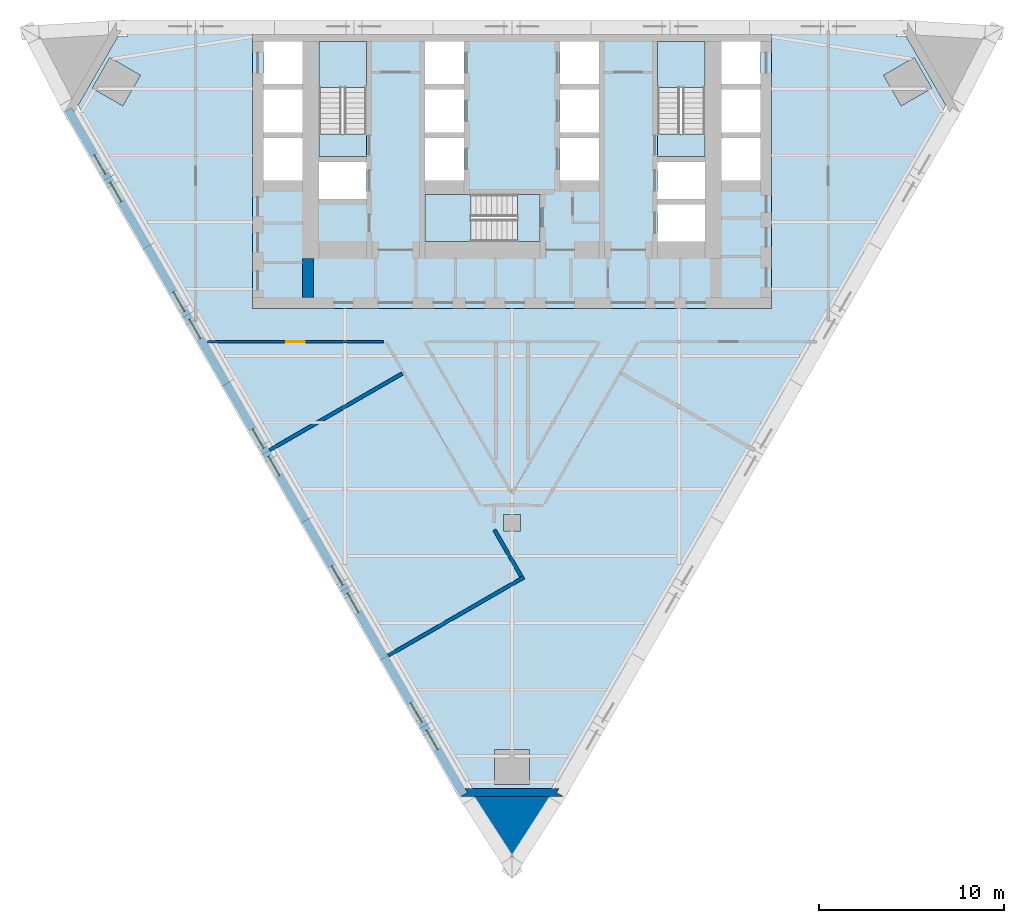
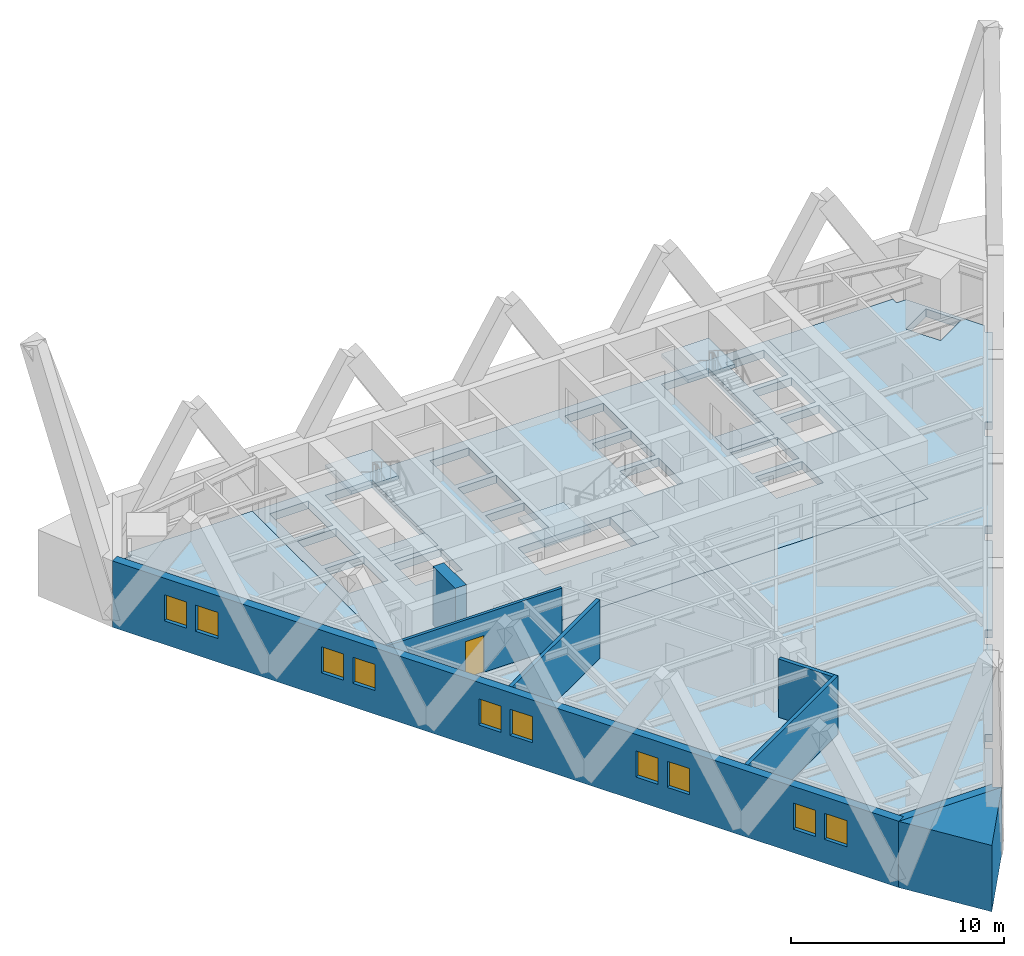
# One storey, part 2 of 7: 10 windows, 8 slabs, 8 walls, 1 door, 11 openings, 3 elements without a shape of their own.
"""IFC4 building model written with IfcOpenShell, lengths in metres."""

from ifc_helpers import new_model, si_unit, direction, frame, frame_2d, origin, place, context, subcontext, project, spatial, polyline, rectangle, outline, extrude, material, layer, layer_set, type_object, element, fill, aggregate, save


model = new_model("IFC4")

# Units and contexts
model_context = context("Model", 3, precision=1e-05, world=origin(), true_north=direction((0.0, 1.0)))
body_context = subcontext(model_context, "Body", "Model", "MODEL_VIEW")
ifc_project = project(units=[si_unit("LENGTHUNIT", "METRE"), si_unit("AREAUNIT", "SQUARE_METRE"), si_unit("VOLUMEUNIT", "CUBIC_METRE"), si_unit("PLANEANGLEUNIT", "RADIAN"), si_unit("MASSUNIT", "GRAM", prefix="KILO")], contexts=[model_context])

# Site, building, storey
site_placement = place(None, origin())
site = spatial("IfcSite", under=ifc_project, at=site_placement, CompositionType="ELEMENT")
building_placement = place(site_placement, origin())
building = spatial("IfcBuilding", under=site, at=building_placement, Name="Aloe Facet Convention Tower", CompositionType="ELEMENT")
storey_placement = place(building_placement, frame((0.0, 0.0, 81.800048828125)))
storey = spatial("IfcBuildingStorey", under=building, at=storey_placement, Name="L19", CompositionType="ELEMENT", Elevation=81.800048828125)

# Slabs
ifc_material_1 = material(Name="Concrete C70/85", Category="concrete")
ifc_layer_1 = layer(ifc_material_1, 0.449951171875)
ifc_layer_set_1 = layer_set([ifc_layer_1], Name="CR-S-FLOOR450-C7085")
slab_type_1 = type_object("IfcSlabType", Name="CR-S-FLOOR450-C7085", PredefinedType="FLOOR", material=ifc_layer_set_1)
slab_1_placement = place(storey_placement, frame((0.0, 0.0, -0.449951171875)))
element("IfcSlab", 1, at=slab_1_placement, inside=storey, type_object=slab_type_1, Name="Stair landing floor L19", PredefinedType="FLOOR", context=body_context, shape_type="SweptSolid", body=[
    extrude(outline(polyline([(72.14990234375, 127.75), (72.14990234375, 128.951171875), (69.60009765625, 128.951171875), (69.60009765625, 127.75), (72.14990234375, 127.75)])), origin(), (0.0, 0.0, 1.0), 0.449951171875),
])
slab_2_placement = place(storey_placement, frame((0.0, 0.0, -0.449951171875)))
element("IfcSlab", 2, at=slab_2_placement, inside=storey, type_object=slab_type_1, Name="Stair landing floor L19", PredefinedType="FLOOR", context=body_context, shape_type="SweptSolid", body=[
    extrude(outline(polyline([(90.39990234375, 127.75), (90.39990234375, 128.951171875), (87.85009765625, 128.951171875), (87.85009765625, 127.75), (90.39990234375, 127.75)])), origin(), (0.0, 0.0, 1.0), 0.449951171875),
])
slab_3_placement = place(storey_placement, frame((0.0, 0.0, -0.449951171875)))
element("IfcSlab", 3, at=slab_3_placement, inside=storey, type_object=slab_type_1, Name="Stair landing floor L19", PredefinedType="FLOOR", context=body_context, shape_type="SweptSolid", body=[
    extrude(outline(polyline([(81.5, 125.699951171875), (80.298828125, 125.699951171875), (80.298828125, 123.14990234375), (81.5, 123.14990234375), (81.5, 125.699951171875)])), origin(), (0.0, 0.0, 1.0), 0.449951171875),
])
slab_4_placement = place(storey_placement, frame((0.0, 0.0, -0.449951171875)))
element("IfcSlab", 4, at=slab_4_placement, inside=storey, type_object=slab_type_1, Name="Core floor L19", PredefinedType="FLOOR", context=body_context, shape_type="SweptSolid", body=[
    extrude(outline(polyline([(69.300048828125, 134.550048828125), (71.85009765625, 134.550048828125), (72.75, 134.550048828125), (74.699951171875, 134.550048828125), (75.60009765625, 134.550048828125), (77.10009765625, 134.550048828125), (78.0, 134.550048828125), (82.0, 134.550048828125), (82.89990234375, 134.550048828125), (84.39990234375, 134.550048828125), (85.300048828125, 134.550048828125), (87.25, 134.550048828125), (88.14990234375, 134.550048828125), (90.699951171875, 134.550048828125), (91.0, 134.550048828125), (94.0, 134.550048828125), (94.0, 131.949951171875), (94.0, 131.050048828125), (94.0, 129.35009765625), (94.0, 128.449951171875), (94.0, 126.449951171875), (94.0, 125.85009765625), (94.0, 124.949951171875), (94.0, 123.89990234375), (94.0, 122.871337890625), (94.0, 121.821533203125), (94.0, 119.550048828125), (91.300048828125, 119.550048828125), (90.699951171875, 119.550048828125), (89.60009765625, 119.550048828125), (88.550048828125, 119.550048828125), (87.89990234375, 119.550048828125), (86.85009765625, 119.550048828125), (85.699951171875, 119.550048828125), (84.64990234375, 119.550048828125), (83.699951171875, 119.550048828125), (82.64990234375, 119.550048828125), (81.75, 119.550048828125), (80.699951171875, 119.550048828125), (79.61669921875, 119.550048828125), (78.566650390625, 119.550048828125), (77.4833984375, 119.550048828125), (76.433349609375, 119.550048828125), (75.35009765625, 119.550048828125), (74.300048828125, 119.550048828125), (73.14990234375, 119.550048828125), (72.10009765625, 119.550048828125), (69.300048828125, 119.550048828125), (68.699951171875, 119.550048828125), (66.0, 119.550048828125), (66.0, 121.5), (66.0, 122.550048828125), (66.0, 123.639404296875), (66.0, 124.689453125), (66.0, 125.85009765625), (66.0, 126.449951171875), (66.0, 128.449951171875), (66.0, 129.35009765625), (66.0, 131.050048828125), (66.0, 131.949951171875), (66.0, 134.550048828125), (69.0, 134.550048828125), (69.300048828125, 134.550048828125)]), holes=[polyline([(75.300048828125, 123.14990234375), (80.298828125, 123.14990234375), (81.5, 123.14990234375), (81.5, 125.699951171875), (80.298828125, 125.699951171875), (75.300048828125, 125.699951171875), (75.300048828125, 123.14990234375)]), polyline([(69.60009765625, 125.449951171875), (72.14990234375, 125.449951171875), (72.14990234375, 127.449951171875), (69.60009765625, 127.449951171875), (69.60009765625, 125.449951171875)]), polyline([(66.60009765625, 126.449951171875), (68.699951171875, 126.449951171875), (68.699951171875, 128.75), (66.60009765625, 128.75), (66.60009765625, 126.449951171875)]), polyline([(75.300048828125, 126.449951171875), (77.39990234375, 126.449951171875), (77.39990234375, 128.75), (75.300048828125, 128.75), (75.300048828125, 126.449951171875)]), polyline([(66.60009765625, 129.050048828125), (68.699951171875, 129.050048828125), (68.699951171875, 131.35009765625), (66.60009765625, 131.35009765625), (66.60009765625, 129.050048828125)]), polyline([(75.300048828125, 129.050048828125), (77.39990234375, 129.050048828125), (77.39990234375, 131.35009765625), (75.300048828125, 131.35009765625), (75.300048828125, 129.050048828125)]), polyline([(69.60009765625, 133.949951171875), (69.60009765625, 128.951171875), (69.60009765625, 127.75), (72.14990234375, 127.75), (72.14990234375, 128.951171875), (72.14990234375, 133.949951171875), (69.60009765625, 133.949951171875)]), polyline([(66.60009765625, 133.949951171875), (66.60009765625, 131.64990234375), (68.699951171875, 131.64990234375), (68.699951171875, 133.949951171875), (66.60009765625, 133.949951171875)]), polyline([(75.300048828125, 133.949951171875), (75.300048828125, 131.64990234375), (77.39990234375, 131.64990234375), (77.39990234375, 133.949951171875), (75.300048828125, 133.949951171875)]), polyline([(87.85009765625, 123.14990234375), (90.39990234375, 123.14990234375), (90.39990234375, 125.14990234375), (87.85009765625, 125.14990234375), (87.85009765625, 123.14990234375)]), polyline([(87.85009765625, 125.449951171875), (90.39990234375, 125.449951171875), (90.39990234375, 127.449951171875), (87.85009765625, 127.449951171875), (87.85009765625, 125.449951171875)]), polyline([(82.60009765625, 126.449951171875), (84.699951171875, 126.449951171875), (84.699951171875, 128.75), (82.60009765625, 128.75), (82.60009765625, 126.449951171875)]), polyline([(91.300048828125, 126.449951171875), (93.39990234375, 126.449951171875), (93.39990234375, 128.75), (91.300048828125, 128.75), (91.300048828125, 126.449951171875)]), polyline([(82.60009765625, 129.050048828125), (84.699951171875, 129.050048828125), (84.699951171875, 131.35009765625), (82.60009765625, 131.35009765625), (82.60009765625, 129.050048828125)]), polyline([(91.300048828125, 129.050048828125), (93.39990234375, 129.050048828125), (93.39990234375, 131.35009765625), (91.300048828125, 131.35009765625), (91.300048828125, 129.050048828125)]), polyline([(87.85009765625, 133.949951171875), (87.85009765625, 128.951171875), (87.85009765625, 127.75), (90.39990234375, 127.75), (90.39990234375, 128.951171875), (90.39990234375, 133.949951171875), (87.85009765625, 133.949951171875)]), polyline([(82.60009765625, 133.949951171875), (82.60009765625, 131.64990234375), (84.699951171875, 131.64990234375), (84.699951171875, 133.949951171875), (82.60009765625, 133.949951171875)]), polyline([(91.300048828125, 133.949951171875), (91.300048828125, 131.64990234375), (93.39990234375, 131.64990234375), (93.39990234375, 133.949951171875), (91.300048828125, 133.949951171875)])]), origin(), (0.0, 0.0, 1.0), 0.449951171875),
])

# Stair, slab
ifc_material_2 = material(Name="Concrete C50/60", Category="concrete")
stair_type = type_object("IfcStairType", Name="CR-ST-20R", PredefinedType="HALF_TURN_STAIR", material=ifc_material_2)
stair_1_placement = place(storey_placement, origin())
stair_1 = element("IfcStair", 5, at=stair_1_placement, inside=storey, type_object=stair_type, Name="L19 Protected exit stair ST1", PredefinedType="HALF_TURN_STAIR")
ifc_material_3 = material(Name="Concrete C50/60", Category="concrete")
ifc_layer_2 = layer(ifc_material_3, 0.199951171875)
ifc_layer_set_2 = layer_set([ifc_layer_2], Name="CR-SL-LANDING")
slab_type_2 = type_object("IfcSlabType", Name="CR-SL-LANDING", PredefinedType="LANDING", material=ifc_layer_set_2)
slab_5_placement = place(storey_placement, frame((0.0, 0.0, 1.550048828125)))
slab_5 = element("IfcSlab", 6, at=slab_5_placement, type_object=slab_type_2, Name="ST1 landing 1", PredefinedType="LANDING", context=body_context, shape_type="SweptSolid", body=[
    extrude(outline(polyline([(72.14990234375, 131.469970703125), (72.14990234375, 133.949951171875), (69.60009765625, 133.949951171875), (69.60009765625, 131.469970703125), (72.14990234375, 131.469970703125)])), origin(), (0.0, 0.0, 1.0), 0.199951171875),
])
aggregate(stair_1, [slab_5])

stair_2_placement = place(storey_placement, origin())
stair_2 = element("IfcStair", 7, at=stair_2_placement, inside=storey, type_object=stair_type, Name="L19 Protected exit stair ST2", PredefinedType="HALF_TURN_STAIR")
slab_6_placement = place(storey_placement, frame((0.0, 0.0, 1.550048828125)))
slab_6 = element("IfcSlab", 8, at=slab_6_placement, type_object=slab_type_2, Name="ST2 landing 1", PredefinedType="LANDING", context=body_context, shape_type="SweptSolid", body=[
    extrude(outline(polyline([(90.39990234375, 131.469970703125), (90.39990234375, 133.949951171875), (87.85009765625, 133.949951171875), (87.85009765625, 131.469970703125), (90.39990234375, 131.469970703125)])), origin(), (0.0, 0.0, 1.0), 0.199951171875),
])
aggregate(stair_2, [slab_6])

stair_3_placement = place(storey_placement, origin())
stair_3 = element("IfcStair", 9, at=stair_3_placement, inside=storey, type_object=stair_type, Name="L19 Protected exit stair ST3", PredefinedType="HALF_TURN_STAIR")
slab_7_placement = place(storey_placement, frame((0.0, 0.0, 1.550048828125)))
slab_7 = element("IfcSlab", 10, at=slab_7_placement, type_object=slab_type_2, Name="ST3 landing 1", PredefinedType="LANDING", context=body_context, shape_type="SweptSolid", body=[
    extrude(outline(polyline([(77.780029296875, 125.699951171875), (75.300048828125, 125.699951171875), (75.300048828125, 123.14990234375), (77.780029296875, 123.14990234375), (77.780029296875, 125.699951171875)])), origin(), (0.0, 0.0, 1.0), 0.199951171875),
])
aggregate(stair_3, [slab_7])

# Slab
ifc_material_4 = material(Name="Concrete C35/45", Category="concrete")
ifc_layer_3 = layer(ifc_material_4, 0.449951171875)
ifc_layer_set_3 = layer_set([ifc_layer_3], Name="SF-FS-450")
slab_type_3 = type_object("IfcSlabType", Name="SF-FS-450", PredefinedType="FLOOR", material=ifc_layer_set_3)
slab_8_placement = place(storey_placement, frame((0.0, 0.0, -0.449951171875)))
element("IfcSlab", 11, at=slab_8_placement, inside=storey, type_object=slab_type_3, Name="Floor slab L19-1", PredefinedType="FLOOR", context=body_context, shape_type="SweptSolid", body=[
    extrude(outline(polyline([(103.39990234375, 130.500244140625), (103.135986328125, 130.043212890625), (103.439208984375, 129.8681640625), (99.76025390625, 123.496337890625), (99.45703125, 123.67138671875), (99.164306640625, 123.164306640625), (98.87158203125, 122.6572265625), (99.1748046875, 122.482177734375), (95.495849609375, 116.1103515625), (95.19287109375, 116.285400390625), (94.900146484375, 115.7783203125), (94.607421875, 115.271240234375), (94.910400390625, 115.09619140625), (91.231689453125, 108.724365234375), (90.928466796875, 108.8994140625), (90.6357421875, 108.392333984375), (90.343017578125, 107.88525390625), (90.646240234375, 107.710205078125), (86.96728515625, 101.33837890625), (86.664306640625, 101.51318359375), (86.37158203125, 101.00634765625), (86.078857421875, 100.499267578125), (86.3818359375, 100.32421875), (82.702880859375, 93.952392578125), (82.39990234375, 94.127197265625), (82.135986328125, 93.67041015625), (77.864013671875, 93.67041015625), (77.60009765625, 94.127197265625), (77.297119140625, 93.952392578125), (73.6181640625, 100.32421875), (73.921142578125, 100.499267578125), (73.62841796875, 101.00634765625), (73.335693359375, 101.51318359375), (73.03271484375, 101.33837890625), (69.353759765625, 107.710205078125), (69.656982421875, 107.88525390625), (69.3642578125, 108.392333984375), (69.071533203125, 108.8994140625), (68.768310546875, 108.724365234375), (65.089599609375, 115.09619140625), (65.392578125, 115.271240234375), (65.099853515625, 115.7783203125), (64.80712890625, 116.285400390625), (64.504150390625, 116.1103515625), (60.8251953125, 122.482177734375), (61.12841796875, 122.6572265625), (60.835693359375, 123.164306640625), (60.54296875, 123.67138671875), (60.23974609375, 123.496337890625), (56.560791015625, 129.8681640625), (56.864013671875, 130.043212890625), (56.60009765625, 130.500244140625), (58.736083984375, 134.199951171875), (59.263916015625, 134.199951171875), (59.263916015625, 134.550048828125), (66.0, 134.550048828125), (66.0, 131.949951171875), (66.0, 131.050048828125), (66.0, 129.35009765625), (66.0, 128.449951171875), (66.0, 126.449951171875), (66.0, 125.85009765625), (66.0, 124.689453125), (66.0, 123.639404296875), (66.0, 122.550048828125), (66.0, 121.5), (66.0, 119.550048828125), (68.699951171875, 119.550048828125), (69.300048828125, 119.550048828125), (72.10009765625, 119.550048828125), (73.14990234375, 119.550048828125), (74.300048828125, 119.550048828125), (75.35009765625, 119.550048828125), (76.433349609375, 119.550048828125), (77.4833984375, 119.550048828125), (78.566650390625, 119.550048828125), (79.61669921875, 119.550048828125), (80.699951171875, 119.550048828125), (81.75, 119.550048828125), (82.64990234375, 119.550048828125), (83.699951171875, 119.550048828125), (84.64990234375, 119.550048828125), (85.699951171875, 119.550048828125), (86.85009765625, 119.550048828125), (87.89990234375, 119.550048828125), (88.550048828125, 119.550048828125), (89.60009765625, 119.550048828125), (90.699951171875, 119.550048828125), (91.300048828125, 119.550048828125), (94.0, 119.550048828125), (94.0, 121.8212890625), (94.0, 122.871337890625), (94.0, 123.89990234375), (94.0, 124.949951171875), (94.0, 125.85009765625), (94.0, 126.449951171875), (94.0, 128.449951171875), (94.0, 129.35009765625), (94.0, 131.050048828125), (94.0, 131.949951171875), (94.0, 134.550048828125), (100.736083984375, 134.550048828125), (100.736083984375, 134.199951171875), (101.263916015625, 134.199951171875), (103.39990234375, 130.500244140625)]), holes=[polyline([(80.449951171875, 107.550048828125), (80.449951171875, 108.449951171875), (79.550048828125, 108.449951171875), (79.550048828125, 107.550048828125), (80.449951171875, 107.550048828125)]), polyline([(58.31640625, 133.072998046875), (57.366455078125, 131.427490234375), (59.01171875, 130.477294921875), (59.9619140625, 132.122802734375), (58.31640625, 133.072998046875)]), polyline([(79.050048828125, 93.870361328125), (80.949951171875, 93.870361328125), (80.949951171875, 95.770263671875), (79.050048828125, 95.770263671875), (79.050048828125, 93.870361328125)]), polyline([(102.633544921875, 131.427490234375), (101.68359375, 133.072998046875), (100.0380859375, 132.122802734375), (100.98828125, 130.477294921875), (102.633544921875, 131.427490234375)])]), origin(), (0.0, 0.0, 1.0), 0.449951171875),
])

# Walls
ifc_material_5 = material(Name="Concrete C70/85", Category="concrete")
ifc_layer_4 = layer(ifc_material_5, 0.60009765625)
ifc_layer_set_4 = layer_set([ifc_layer_4], Name="CR-W-RC600-C7085")
wall_type_1 = type_object("IfcWallType", Name="CR-W-RC600-C7085", PredefinedType="SOLIDWALL", material=ifc_layer_set_4)
wall_1_placement = place(storey_placement, frame((69.0, 122.25, 0.0), z_axis=(0.0, 0.0, 1.0), x_axis=(0.0, -1.0, 0.0)))
element("IfcWall", 12, at=wall_1_placement, inside=storey, type_object=wall_type_1, Name="Core wall L19-010", PredefinedType="SOLIDWALL", context=body_context, shape_type="SweptSolid", body=[
    extrude(rectangle(XDim=2.10009765625, YDim=0.60009765625, at=frame_2d((1.050048828125, 0.0))), origin(), (0.0, 0.0, 1.0), 3.349853515625),
])
ifc_material_6 = material(Name="Precast concrete C40/50", Category="concrete")
ifc_layer_5 = layer(ifc_material_6, 0.449951171875)
ifc_layer_set_5 = layer_set([ifc_layer_5], Name="EV-WALL-PIER")
wall_type_2 = type_object("IfcWallType", Name="EV-WALL-PIER", PredefinedType="SOLIDWALL", material=ifc_layer_set_5)
wall_2_placement = place(storey_placement, frame((0.0, 0.0, -0.449951171875)))
element("IfcWall", 13, at=wall_2_placement, inside=storey, type_object=wall_type_2, Name="EP-L19-B", PredefinedType="SOLIDWALL", context=body_context, shape_type="SweptSolid", body=[
    extrude(outline(polyline([(77.199951171875, 93.22021484375), (77.589599609375, 93.4453125), (77.459716796875, 93.670166015625), (82.540283203125, 93.670166015625), (82.410400390625, 93.4453125), (82.800048828125, 93.22021484375), (77.199951171875, 93.22021484375)])), origin(), (0.0, 0.0, 1.0), 3.7998046875),
])
ifc_material_7 = material(Name="Precast concrete C40/50", Category="concrete")
ifc_layer_6 = layer(ifc_material_7, 3.947998046875)
ifc_layer_set_6 = layer_set([ifc_layer_6], Name="EV-WALL-SPINE")
wall_type_3 = type_object("IfcWallType", Name="EV-WALL-SPINE", PredefinedType="SOLIDWALL", material=ifc_layer_set_6)
wall_3_placement = place(storey_placement, frame((0.0, 0.0, -0.449951171875)))
element("IfcWall", 14, at=wall_3_placement, inside=storey, type_object=wall_type_3, Name="SP-S-L19", PredefinedType="SOLIDWALL", context=body_context, shape_type="SweptSolid", body=[
    extrude(outline(polyline([(77.199951171875, 93.22021484375), (80.0, 89.31396484375), (82.800048828125, 93.22021484375), (77.199951171875, 93.22021484375)])), origin(), (0.0, 0.0, 1.0), 3.7998046875),
])

# Wall, openings, windows
ifc_material_8 = material(Name="Precast concrete C40/50", Category="concrete")
ifc_layer_7 = layer(ifc_material_8, 0.449951171875)
ifc_layer_set_7 = layer_set([ifc_layer_7], Name="EV-WALL-STONE")
wall_type_4 = type_object("IfcWallType", Name="EV-WALL-STONE", PredefinedType="SOLIDWALL", material=ifc_layer_set_7)
wall_4_placement = place(storey_placement, frame((56.0732421875, 130.2626953125, -0.449951171875), z_axis=(0.0, 0.0, 1.0), x_axis=(0.500000478905, -0.866025127289, 0.0)))
wall_4 = element("IfcWall", 15, at=wall_4_placement, inside=storey, type_object=wall_type_4, Name="EW-L19-W01", PredefinedType="SOLIDWALL", context=body_context, shape_type="SweptSolid", body=[
    extrude(outline(polyline([(42.64306640625, 0.0), (42.64306640625, 3.7998046875), (0.0, 3.7998046875), (0.0, 0.0), (42.64306640625, 0.0)])), frame((0.0, 0.22509765625, 0.0), z_axis=(0.0, -1.0, 0.0), x_axis=(1.0, 0.0, 0.0)), (0.0, 0.0, 1.0), 0.449951171875),
])
opening_1_placement = place(wall_4_placement, frame((2.814208984375, 0.0, 1.35009765625)))
opening_1 = element("IfcOpeningElement", 16, at=opening_1_placement, cuts=wall_4, Name="Opening W-L19-W01", PredefinedType="OPENING", context=body_context, shape_type="SweptSolid", body=[
    extrude(rectangle(XDim=1.199951171875, YDim=1.5, at=frame_2d((0.60009765625, 0.75))), frame((0.0, 0.23486328125, 0.0), z_axis=(0.0, -1.0, 0.0), x_axis=(1.0, 0.0, 0.0)), (0.0, 0.0, 1.0), 0.469970703125),
])
opening_2_placement = place(wall_4_placement, frame((4.514404296875, 0.0, 1.35009765625)))
opening_2 = element("IfcOpeningElement", 17, at=opening_2_placement, cuts=wall_4, Name="Opening W-L19-W02", PredefinedType="OPENING", context=body_context, shape_type="SweptSolid", body=[
    extrude(rectangle(XDim=1.199951171875, YDim=1.5, at=frame_2d((0.60009765625, 0.75))), frame((0.0, 0.23486328125, 0.0), z_axis=(0.0, -1.0, 0.0), x_axis=(1.0, 0.0, 0.0)), (0.0, 0.0, 1.0), 0.469970703125),
])
opening_3_placement = place(wall_4_placement, frame((11.343017578125, 0.0, 1.35009765625)))
opening_3 = element("IfcOpeningElement", 18, at=opening_3_placement, cuts=wall_4, Name="Opening W-L19-W03", PredefinedType="OPENING", context=body_context, shape_type="SweptSolid", body=[
    extrude(rectangle(XDim=1.199951171875, YDim=1.5, at=frame_2d((0.60009765625, 0.75))), frame((0.0, 0.23486328125, 0.0), z_axis=(0.0, -1.0, 0.0), x_axis=(1.0, 0.0, 0.0)), (0.0, 0.0, 1.0), 0.469970703125),
])
opening_4_placement = place(wall_4_placement, frame((13.04296875, 0.0, 1.35009765625)))
opening_4 = element("IfcOpeningElement", 19, at=opening_4_placement, cuts=wall_4, Name="Opening W-L19-W04", PredefinedType="OPENING", context=body_context, shape_type="SweptSolid", body=[
    extrude(rectangle(XDim=1.199951171875, YDim=1.5, at=frame_2d((0.60009765625, 0.75))), frame((0.0, 0.23486328125, 0.0), z_axis=(0.0, -1.0, 0.0), x_axis=(1.0, 0.0, 0.0)), (0.0, 0.0, 1.0), 0.469970703125),
])
opening_5_placement = place(wall_4_placement, frame((19.87158203125, 0.0, 1.35009765625)))
opening_5 = element("IfcOpeningElement", 20, at=opening_5_placement, cuts=wall_4, Name="Opening W-L19-W05", PredefinedType="OPENING", context=body_context, shape_type="SweptSolid", body=[
    extrude(rectangle(XDim=1.199951171875, YDim=1.5, at=frame_2d((0.60009765625, 0.75))), frame((0.0, 0.23486328125, 0.0), z_axis=(0.0, -1.0, 0.0), x_axis=(1.0, 0.0, 0.0)), (0.0, 0.0, 1.0), 0.469970703125),
])
opening_6_placement = place(wall_4_placement, frame((21.571533203125, 0.0, 1.35009765625)))
opening_6 = element("IfcOpeningElement", 21, at=opening_6_placement, cuts=wall_4, Name="Opening W-L19-W06", PredefinedType="OPENING", context=body_context, shape_type="SweptSolid", body=[
    extrude(rectangle(XDim=1.199951171875, YDim=1.5, at=frame_2d((0.60009765625, 0.75))), frame((0.0, 0.23486328125, 0.0), z_axis=(0.0, -1.0, 0.0), x_axis=(1.0, 0.0, 0.0)), (0.0, 0.0, 1.0), 0.469970703125),
])
opening_7_placement = place(wall_4_placement, frame((28.400146484375, 0.0, 1.35009765625)))
opening_7 = element("IfcOpeningElement", 22, at=opening_7_placement, cuts=wall_4, Name="Opening W-L19-W07", PredefinedType="OPENING", context=body_context, shape_type="SweptSolid", body=[
    extrude(rectangle(XDim=1.199951171875, YDim=1.5, at=frame_2d((0.60009765625, 0.75))), frame((0.0, 0.23486328125, 0.0), z_axis=(0.0, -1.0, 0.0), x_axis=(1.0, 0.0, 0.0)), (0.0, 0.0, 1.0), 0.469970703125),
])
opening_8_placement = place(wall_4_placement, frame((30.10009765625, 0.0, 1.35009765625)))
opening_8 = element("IfcOpeningElement", 23, at=opening_8_placement, cuts=wall_4, Name="Opening W-L19-W08", PredefinedType="OPENING", context=body_context, shape_type="SweptSolid", body=[
    extrude(rectangle(XDim=1.199951171875, YDim=1.5, at=frame_2d((0.60009765625, 0.75))), frame((0.0, 0.23486328125, 0.0), z_axis=(0.0, -1.0, 0.0), x_axis=(1.0, 0.0, 0.0)), (0.0, 0.0, 1.0), 0.469970703125),
])
opening_9_placement = place(wall_4_placement, frame((36.9287109375, 0.0, 1.35009765625)))
opening_9 = element("IfcOpeningElement", 24, at=opening_9_placement, cuts=wall_4, Name="Opening W-L19-W09", PredefinedType="OPENING", context=body_context, shape_type="SweptSolid", body=[
    extrude(rectangle(XDim=1.199951171875, YDim=1.5, at=frame_2d((0.60009765625, 0.75))), frame((0.0, 0.23486328125, 0.0), z_axis=(0.0, -1.0, 0.0), x_axis=(1.0, 0.0, 0.0)), (0.0, 0.0, 1.0), 0.469970703125),
])
opening_10_placement = place(wall_4_placement, frame((38.628662109375, 0.0, 1.35009765625)))
opening_10 = element("IfcOpeningElement", 25, at=opening_10_placement, cuts=wall_4, Name="Opening W-L19-W10", PredefinedType="OPENING", context=body_context, shape_type="SweptSolid", body=[
    extrude(rectangle(XDim=1.199951171875, YDim=1.5, at=frame_2d((0.60009765625, 0.75))), frame((0.0, 0.23486328125, 0.0), z_axis=(0.0, -1.0, 0.0), x_axis=(1.0, 0.0, 0.0)), (0.0, 0.0, 1.0), 0.469970703125),
])
ifc_material_9 = material(Name="Aluminium frame, clear double glazing", Category="aluminium")
window_type = type_object("IfcWindowType", Name="EV-WIN-H12", PartitioningType="SINGLE_PANEL", PredefinedType="WINDOW", material=ifc_material_9)
window_1_placement = place(opening_1_placement, origin())
window_1 = element("IfcWindow", 26, at=window_1_placement, inside=storey, type_object=window_type, Name="W-L19-W01", OverallHeight=1.5, OverallWidth=1.199951171875, PartitioningType="SINGLE_PANEL", PredefinedType="WINDOW", context=body_context, shape_type="SweptSolid", body=[
    extrude(rectangle(XDim=1.199951171875, YDim=1.5, at=frame_2d((0.60009765625, 0.75))), frame((0.0, 0.030029296875, 0.0), z_axis=(0.0, -1.0, 0.0), x_axis=(1.0, 0.0, 0.0)), (0.0, 0.0, 1.0), 0.06005859375),
])
fill(opening_1, window_1)
window_2_placement = place(opening_2_placement, origin())
window_2 = element("IfcWindow", 27, at=window_2_placement, inside=storey, type_object=window_type, Name="W-L19-W02", OverallHeight=1.5, OverallWidth=1.199951171875, PartitioningType="SINGLE_PANEL", PredefinedType="WINDOW", context=body_context, shape_type="SweptSolid", body=[
    extrude(rectangle(XDim=1.199951171875, YDim=1.5, at=frame_2d((0.60009765625, 0.75))), frame((0.0, 0.030029296875, 0.0), z_axis=(0.0, -1.0, 0.0), x_axis=(1.0, 0.0, 0.0)), (0.0, 0.0, 1.0), 0.06005859375),
])
fill(opening_2, window_2)
window_3_placement = place(opening_3_placement, origin())
window_3 = element("IfcWindow", 28, at=window_3_placement, inside=storey, type_object=window_type, Name="W-L19-W03", OverallHeight=1.5, OverallWidth=1.199951171875, PartitioningType="SINGLE_PANEL", PredefinedType="WINDOW", context=body_context, shape_type="SweptSolid", body=[
    extrude(rectangle(XDim=1.199951171875, YDim=1.5, at=frame_2d((0.60009765625, 0.75))), frame((0.0, 0.030029296875, 0.0), z_axis=(0.0, -1.0, 0.0), x_axis=(1.0, 0.0, 0.0)), (0.0, 0.0, 1.0), 0.06005859375),
])
fill(opening_3, window_3)
window_4_placement = place(opening_4_placement, origin())
window_4 = element("IfcWindow", 29, at=window_4_placement, inside=storey, type_object=window_type, Name="W-L19-W04", OverallHeight=1.5, OverallWidth=1.199951171875, PartitioningType="SINGLE_PANEL", PredefinedType="WINDOW", context=body_context, shape_type="SweptSolid", body=[
    extrude(rectangle(XDim=1.199951171875, YDim=1.5, at=frame_2d((0.60009765625, 0.75))), frame((0.0, 0.030029296875, 0.0), z_axis=(0.0, -1.0, 0.0), x_axis=(1.0, 0.0, 0.0)), (0.0, 0.0, 1.0), 0.06005859375),
])
fill(opening_4, window_4)
window_5_placement = place(opening_5_placement, origin())
window_5 = element("IfcWindow", 30, at=window_5_placement, inside=storey, type_object=window_type, Name="W-L19-W05", OverallHeight=1.5, OverallWidth=1.199951171875, PartitioningType="SINGLE_PANEL", PredefinedType="WINDOW", context=body_context, shape_type="SweptSolid", body=[
    extrude(rectangle(XDim=1.199951171875, YDim=1.5, at=frame_2d((0.60009765625, 0.75))), frame((0.0, 0.030029296875, 0.0), z_axis=(0.0, -1.0, 0.0), x_axis=(1.0, 0.0, 0.0)), (0.0, 0.0, 1.0), 0.06005859375),
])
fill(opening_5, window_5)
window_6_placement = place(opening_6_placement, origin())
window_6 = element("IfcWindow", 31, at=window_6_placement, inside=storey, type_object=window_type, Name="W-L19-W06", OverallHeight=1.5, OverallWidth=1.199951171875, PartitioningType="SINGLE_PANEL", PredefinedType="WINDOW", context=body_context, shape_type="SweptSolid", body=[
    extrude(rectangle(XDim=1.199951171875, YDim=1.5, at=frame_2d((0.60009765625, 0.75))), frame((0.0, 0.030029296875, 0.0), z_axis=(0.0, -1.0, 0.0), x_axis=(1.0, 0.0, 0.0)), (0.0, 0.0, 1.0), 0.06005859375),
])
fill(opening_6, window_6)
window_7_placement = place(opening_7_placement, origin())
window_7 = element("IfcWindow", 32, at=window_7_placement, inside=storey, type_object=window_type, Name="W-L19-W07", OverallHeight=1.5, OverallWidth=1.199951171875, PartitioningType="SINGLE_PANEL", PredefinedType="WINDOW", context=body_context, shape_type="SweptSolid", body=[
    extrude(rectangle(XDim=1.199951171875, YDim=1.5, at=frame_2d((0.60009765625, 0.75))), frame((0.0, 0.030029296875, 0.0), z_axis=(0.0, -1.0, 0.0), x_axis=(1.0, 0.0, 0.0)), (0.0, 0.0, 1.0), 0.06005859375),
])
fill(opening_7, window_7)
window_8_placement = place(opening_8_placement, origin())
window_8 = element("IfcWindow", 33, at=window_8_placement, inside=storey, type_object=window_type, Name="W-L19-W08", OverallHeight=1.5, OverallWidth=1.199951171875, PartitioningType="SINGLE_PANEL", PredefinedType="WINDOW", context=body_context, shape_type="SweptSolid", body=[
    extrude(rectangle(XDim=1.199951171875, YDim=1.5, at=frame_2d((0.60009765625, 0.75))), frame((0.0, 0.030029296875, 0.0), z_axis=(0.0, -1.0, 0.0), x_axis=(1.0, 0.0, 0.0)), (0.0, 0.0, 1.0), 0.06005859375),
])
fill(opening_8, window_8)
window_9_placement = place(opening_9_placement, origin())
window_9 = element("IfcWindow", 34, at=window_9_placement, inside=storey, type_object=window_type, Name="W-L19-W09", OverallHeight=1.5, OverallWidth=1.199951171875, PartitioningType="SINGLE_PANEL", PredefinedType="WINDOW", context=body_context, shape_type="SweptSolid", body=[
    extrude(rectangle(XDim=1.199951171875, YDim=1.5, at=frame_2d((0.60009765625, 0.75))), frame((0.0, 0.030029296875, 0.0), z_axis=(0.0, -1.0, 0.0), x_axis=(1.0, 0.0, 0.0)), (0.0, 0.0, 1.0), 0.06005859375),
])
fill(opening_9, window_9)
window_10_placement = place(opening_10_placement, origin())
window_10 = element("IfcWindow", 35, at=window_10_placement, inside=storey, type_object=window_type, Name="W-L19-W10", OverallHeight=1.5, OverallWidth=1.199951171875, PartitioningType="SINGLE_PANEL", PredefinedType="WINDOW", context=body_context, shape_type="SweptSolid", body=[
    extrude(rectangle(XDim=1.199951171875, YDim=1.5, at=frame_2d((0.60009765625, 0.75))), frame((0.0, 0.030029296875, 0.0), z_axis=(0.0, -1.0, 0.0), x_axis=(1.0, 0.0, 0.0)), (0.0, 0.0, 1.0), 0.06005859375),
])
fill(opening_10, window_10)

# Wall, opening, door
ifc_material_10 = material(Name="Gypsum board partition on steel studs", Category="steel")
ifc_layer_8 = layer(ifc_material_10, 0.14990234375)
ifc_layer_set_8 = layer_set([ifc_layer_8], Name="IN-W-CORR")
wall_type_5 = type_object("IfcWallType", Name="IN-W-CORR", PredefinedType="PARTITIONING", material=ifc_layer_set_8)
wall_5_placement = place(storey_placement, frame((63.56884765625, 117.75, 0.0), z_axis=(0.0, 0.0, 1.0), x_axis=(1.0, 0.0, 0.0)))
wall_5 = element("IfcWall", 36, at=wall_5_placement, inside=storey, type_object=wall_type_5, Name="Partition L19-W019", PredefinedType="PARTITIONING", context=body_context, shape_type="SweptSolid", body=[
    extrude(rectangle(XDim=9.50048828125, YDim=0.14990234375, at=frame_2d((4.750244140625, 0.0))), origin(), (0.0, 0.0, 1.0), 3.349853515625),
])
opening_11_placement = place(wall_5_placement, frame((4.250244140625, 0.0, 0.0)))
opening_11 = element("IfcOpeningElement", 37, at=opening_11_placement, cuts=wall_5, Name="Opening L19-001", PredefinedType="OPENING", context=body_context, shape_type="SweptSolid", body=[
    extrude(rectangle(XDim=1.0, YDim=2.10009765625, at=frame_2d((0.5, 1.050048828125))), frame((0.0, 0.0849609375, 0.0), z_axis=(0.0, -1.0, 0.0), x_axis=(1.0, 0.0, 0.0)), (0.0, 0.0, 1.0), 0.169921875),
])
ifc_material_11 = material(Name="Hardwood flush door FD30S", Category="wood")
door_type = type_object("IfcDoorType", Name="IN-D-WIDE", OperationType="SINGLE_SWING_LEFT", PredefinedType="DOOR", material=ifc_material_11)
door_placement = place(opening_11_placement, origin())
door = element("IfcDoor", 38, at=door_placement, inside=storey, type_object=door_type, Name="Door L19-001", OperationType="SINGLE_SWING_LEFT", OverallHeight=2.10009765625, OverallWidth=1.0, PredefinedType="DOOR", context=body_context, shape_type="SweptSolid", body=[
    extrude(rectangle(XDim=1.0, YDim=2.10009765625, at=frame_2d((0.5, 1.050048828125))), frame((0.0, 0.02490234375, 0.0), z_axis=(0.0, -1.0, 0.0), x_axis=(1.0, 0.0, 0.0)), (0.0, 0.0, 1.0), 0.050048828125),
])
fill(opening_11, door)

# Walls
ifc_material_12 = material(Name="Gypsum board partition on steel studs", Category="steel")
ifc_layer_9 = layer(ifc_material_12, 0.199951171875)
ifc_layer_set_9 = layer_set([ifc_layer_9], Name="IN-W-PARTY")
wall_type_6 = type_object("IfcWallType", Name="IN-W-PARTY", PredefinedType="PARTITIONING", material=ifc_layer_set_9)
wall_6_placement = place(storey_placement, frame((73.325439453125, 100.831298828125, 0.0), z_axis=(0.0, 0.0, 1.0), x_axis=(0.866029686123, 0.499992582699, 0.0)))
element("IfcWall", 39, at=wall_6_placement, inside=storey, type_object=wall_type_6, Name="Partition L19-W001", PredefinedType="PARTITIONING", context=body_context, shape_type="SweptSolid", body=[
    extrude(rectangle(XDim=8.449462890625, YDim=0.199951171875, at=frame_2d((4.224609375, 0.0))), origin(), (0.0, 0.0, 1.0), 3.349853515625),
])
wall_7_placement = place(storey_placement, frame((79.050048828125, 107.615966796875, 0.0), z_axis=(0.0, 0.0, 1.0), x_axis=(0.499829218422, -0.866123982125, 0.0)))
element("IfcWall", 40, at=wall_7_placement, inside=storey, type_object=wall_type_6, Name="Partition L19-W002", PredefinedType="PARTITIONING", context=body_context, shape_type="SweptSolid", body=[
    extrude(rectangle(XDim=2.9033203125, YDim=0.199951171875, at=frame_2d((1.45166015625, 0.0))), origin(), (0.0, 0.0, 1.0), 3.349853515625),
])
wall_8_placement = place(storey_placement, frame((66.928955078125, 111.91015625, 0.0), z_axis=(0.0, 0.0, 1.0), x_axis=(0.866022272496, 0.500005423512, 0.0)))
element("IfcWall", 41, at=wall_8_placement, inside=storey, type_object=wall_type_6, Name="Partition L19-W015", PredefinedType="PARTITIONING", context=body_context, shape_type="SweptSolid", body=[
    extrude(rectangle(XDim=8.26513671875, YDim=0.199951171875, at=frame_2d((4.132568359375, 0.0))), origin(), (0.0, 0.0, 1.0), 3.349853515625),
])

save(model, "model.ifc")
